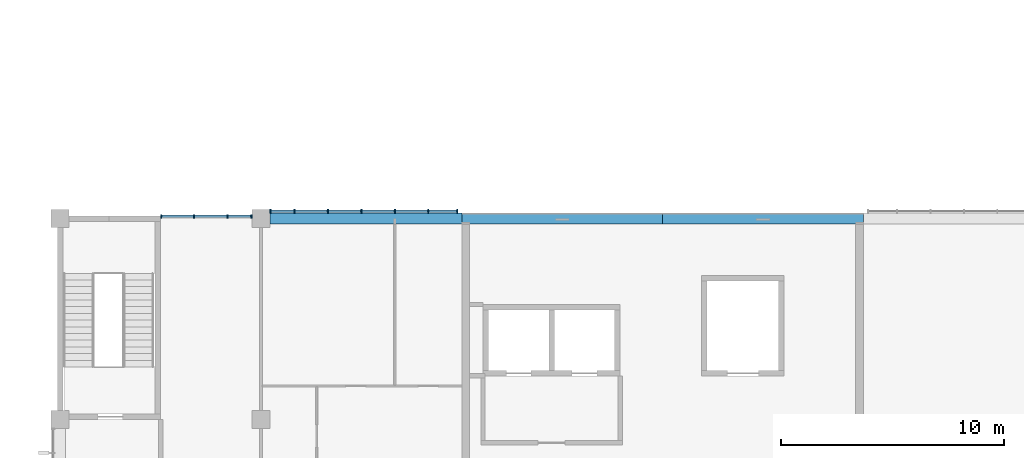
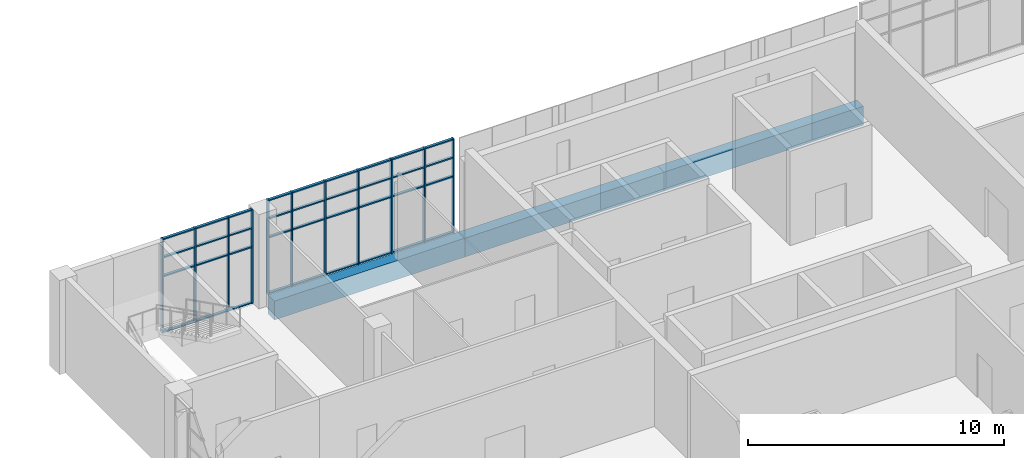
# One storey, part 21 of 43: 47 members, 3 beams, 2 elements without a shape of their own.
"""IFC4 building model written with IfcOpenShell, lengths in metres."""

from ifc_helpers import new_model, si_unit, direction, frame, origin, origin_2d, place, context, subcontext, project, spatial, rectangle, extrude, material, layer, layer_set, material_profile, profile_set, type_object, element, aggregate, save


model = new_model("IFC4")

# Units and contexts
model_context = context("Model", 3, precision=1e-05, world=origin(), true_north=direction((0.0, 1.0)))
body_context = subcontext(model_context, "Body", "Model", "MODEL_VIEW")
ifc_project = project(units=[si_unit("LENGTHUNIT", "METRE"), si_unit("AREAUNIT", "SQUARE_METRE"), si_unit("VOLUMEUNIT", "CUBIC_METRE"), si_unit("PLANEANGLEUNIT", "RADIAN"), si_unit("MASSUNIT", "GRAM", prefix="KILO")], contexts=[model_context])

# Site, building, storey
site_placement = place(None, origin())
site = spatial("IfcSite", under=ifc_project, at=site_placement, CompositionType="ELEMENT")
building_placement = place(site_placement, origin())
building = spatial("IfcBuilding", under=site, at=building_placement, Name="Guidao Yard Department Store", CompositionType="ELEMENT")
storey_placement = place(building_placement, frame((0.0, 0.0, 28.5)))
storey = spatial("IfcBuildingStorey", under=building, at=storey_placement, Name="L06", CompositionType="ELEMENT", Elevation=28.5)

# Curtain wall, members
ifc_material_1 = material(Name="Aluminium and glass", Category="aluminium")
ifc_layer = layer(ifc_material_1, 0.159912109375)
ifc_layer_set = layer_set([ifc_layer], Name="Unitised curtain wall CW4 1500 module")
curtain_wall_type = type_object("IfcCurtainWallType", Name="Unitised curtain wall CW4 1500 module", PredefinedType="NOTDEFINED", material=ifc_layer_set)
curtain_wall_1_placement = place(storey_placement, origin())
curtain_wall_1 = element("IfcCurtainWall", 1, at=curtain_wall_1_placement, inside=storey, type_object=curtain_wall_type, Name="Unitised curtain wall", PredefinedType="NOTDEFINED")
ifc_material_2 = material(Name="Aluminium 6063-T5", Category="aluminium")
ifc_material_profile_1 = material_profile(ifc_material_2, rectangle(XDim=0.06005859375, YDim=0.159912109375, at=origin_2d()), Name="Mullion M1 60 x 160 aluminium pressure plate")
ifc_profile_set_1 = profile_set([ifc_material_profile_1], Name="Aluminium 6063-T5")
member_type_1 = type_object("IfcMemberType", Name="Mullion M1 60 x 160 aluminium pressure plate", PredefinedType="MULLION", material=ifc_profile_set_1)
member_1_placement = place(storey_placement, frame((130.530029296875, 27.10009765625, 0.0), z_axis=(0.0, 0.0, 1.0), x_axis=(1.0, 0.0, 0.0)))
member_1 = element("IfcMember", 2, at=member_1_placement, type_object=member_type_1, Name="CW-OW-L06-06 mullion 1", PredefinedType="MULLION", context=body_context, shape_type="SweptSolid", body=[
    extrude(rectangle(XDim=0.06005859375, YDim=0.159912109375, at=origin_2d()), origin(), (0.0, 0.0, 1.0), 4.5),
])
member_2_placement = place(storey_placement, frame((132.0, 27.10009765625, 0.0), z_axis=(0.0, 0.0, 1.0), x_axis=(1.0, 0.0, 0.0)))
member_2 = element("IfcMember", 3, at=member_2_placement, type_object=member_type_1, Name="CW-OW-L06-06 mullion 2", PredefinedType="MULLION", context=body_context, shape_type="SweptSolid", body=[
    extrude(rectangle(XDim=0.06005859375, YDim=0.159912109375, at=origin_2d()), origin(), (0.0, 0.0, 1.0), 4.5),
])
member_3_placement = place(storey_placement, frame((133.5, 27.10009765625, 0.0), z_axis=(0.0, 0.0, 1.0), x_axis=(1.0, 0.0, 0.0)))
member_3 = element("IfcMember", 4, at=member_3_placement, type_object=member_type_1, Name="CW-OW-L06-06 mullion 3", PredefinedType="MULLION", context=body_context, shape_type="SweptSolid", body=[
    extrude(rectangle(XDim=0.06005859375, YDim=0.159912109375, at=origin_2d()), origin(), (0.0, 0.0, 1.0), 4.5),
])
member_4_placement = place(storey_placement, frame((134.570068359375, 27.10009765625, 0.0), z_axis=(0.0, 0.0, 1.0), x_axis=(1.0, 0.0, 0.0)))
member_4 = element("IfcMember", 5, at=member_4_placement, type_object=member_type_1, Name="CW-OW-L06-06 mullion 4", PredefinedType="MULLION", context=body_context, shape_type="SweptSolid", body=[
    extrude(rectangle(XDim=0.06005859375, YDim=0.159912109375, at=origin_2d()), origin(), (0.0, 0.0, 1.0), 4.5),
])

curtain_wall_2_placement = place(storey_placement, origin())
curtain_wall_2 = element("IfcCurtainWall", 6, at=curtain_wall_2_placement, inside=storey, type_object=curtain_wall_type, Name="Unitised curtain wall", PredefinedType="NOTDEFINED")
member_5_placement = place(storey_placement, frame((135.429931640625, 27.330078125, 0.0), z_axis=(0.0, 0.0, 1.0), x_axis=(1.0, 0.0, 0.0)))
member_5 = element("IfcMember", 7, at=member_5_placement, type_object=member_type_1, Name="CW-OW-L06-07 mullion 1", PredefinedType="MULLION", context=body_context, shape_type="SweptSolid", body=[
    extrude(rectangle(XDim=0.06005859375, YDim=0.159912109375, at=origin_2d()), origin(), (0.0, 0.0, 1.0), 4.5),
])
member_6_placement = place(storey_placement, frame((136.5, 27.330078125, 0.0), z_axis=(0.0, 0.0, 1.0), x_axis=(1.0, 0.0, 0.0)))
member_6 = element("IfcMember", 8, at=member_6_placement, type_object=member_type_1, Name="CW-OW-L06-07 mullion 2", PredefinedType="MULLION", context=body_context, shape_type="SweptSolid", body=[
    extrude(rectangle(XDim=0.06005859375, YDim=0.159912109375, at=origin_2d()), origin(), (0.0, 0.0, 1.0), 4.5),
])
member_7_placement = place(storey_placement, frame((138.0, 27.330078125, 0.0), z_axis=(0.0, 0.0, 1.0), x_axis=(1.0, 0.0, 0.0)))
member_7 = element("IfcMember", 9, at=member_7_placement, type_object=member_type_1, Name="CW-OW-L06-07 mullion 3", PredefinedType="MULLION", context=body_context, shape_type="SweptSolid", body=[
    extrude(rectangle(XDim=0.06005859375, YDim=0.159912109375, at=origin_2d()), origin(), (0.0, 0.0, 1.0), 4.5),
])
member_8_placement = place(storey_placement, frame((139.5, 27.330078125, 0.0), z_axis=(0.0, 0.0, 1.0), x_axis=(1.0, 0.0, 0.0)))
member_8 = element("IfcMember", 10, at=member_8_placement, type_object=member_type_1, Name="CW-OW-L06-07 mullion 4", PredefinedType="MULLION", context=body_context, shape_type="SweptSolid", body=[
    extrude(rectangle(XDim=0.06005859375, YDim=0.159912109375, at=origin_2d()), origin(), (0.0, 0.0, 1.0), 4.5),
])
member_9_placement = place(storey_placement, frame((141.0, 27.330078125, 0.0), z_axis=(0.0, 0.0, 1.0), x_axis=(1.0, 0.0, 0.0)))
member_9 = element("IfcMember", 11, at=member_9_placement, type_object=member_type_1, Name="CW-OW-L06-07 mullion 5", PredefinedType="MULLION", context=body_context, shape_type="SweptSolid", body=[
    extrude(rectangle(XDim=0.06005859375, YDim=0.159912109375, at=origin_2d()), origin(), (0.0, 0.0, 1.0), 4.5),
])
member_10_placement = place(storey_placement, frame((142.5, 27.330078125, 0.0), z_axis=(0.0, 0.0, 1.0), x_axis=(1.0, 0.0, 0.0)))
member_10 = element("IfcMember", 12, at=member_10_placement, type_object=member_type_1, Name="CW-OW-L06-07 mullion 6", PredefinedType="MULLION", context=body_context, shape_type="SweptSolid", body=[
    extrude(rectangle(XDim=0.06005859375, YDim=0.159912109375, at=origin_2d()), origin(), (0.0, 0.0, 1.0), 4.5),
])
member_11_placement = place(storey_placement, frame((143.794921875, 27.330078125, 0.0), z_axis=(0.0, 0.0, 1.0), x_axis=(1.0, 0.0, 0.0)))
member_11 = element("IfcMember", 13, at=member_11_placement, type_object=member_type_1, Name="CW-OW-L06-07 mullion 7", PredefinedType="MULLION", context=body_context, shape_type="SweptSolid", body=[
    extrude(rectangle(XDim=0.06005859375, YDim=0.159912109375, at=origin_2d()), origin(), (0.0, 0.0, 1.0), 4.5),
])

# Beams
ifc_material_3 = material(Name="Concrete C40", Category="concrete")
ifc_material_profile_2 = material_profile(ifc_material_3, rectangle(XDim=0.5, YDim=0.89990234375, at=origin_2d()), Name="Spandrel beam 500 x 900 C40")
ifc_profile_set_2 = profile_set([ifc_material_profile_2], Name="Concrete C40")
beam_type = type_object("IfcBeamType", Name="Spandrel beam 500 x 900 C40", PredefinedType="SPANDREL", material=ifc_profile_set_2)
beam_placement = place(storey_placement, frame((135.39990234375, 27.0, -0.449951171875), z_axis=(1.0, 0.0, 0.0), x_axis=(0.0, 1.0, 0.0)))
element("IfcBeam", 14, at=beam_placement, inside=storey, type_object=beam_type, Name="Beam FB05", PredefinedType="SPANDREL", context=body_context, shape_type="SweptSolid", body=[
    extrude(rectangle(XDim=0.5, YDim=0.89990234375, at=origin_2d()), origin(), (0.0, 0.0, 1.0), 8.60009765625),
])
for number, where, z_axis, x_axis, name in (
    (15, (144.0, 27.0, -0.449951171875), (1.0, 0.0, 0.0), (0.0, 1.0, 0.0), "Beam FB06"),
    (16, (153.0, 27.0, -0.449951171875), (1.0, 0.0, 0.0), (0.0, 1.0, 0.0), "Beam FB07"),
):
    element("IfcBeam", number, at=place(storey_placement, frame(where, z_axis=z_axis, x_axis=x_axis)), inside=storey, type_object=beam_type, Name=name, PredefinedType="SPANDREL", context=body_context, shape_type="SweptSolid", body=[
        extrude(rectangle(XDim=0.5, YDim=0.89990234375, at=origin_2d()), origin(), (0.0, 0.0, 1.0), 9.0),
    ])

# Member
ifc_material_4 = material(Name="Aluminium 6063-T5", Category="aluminium")
ifc_material_profile_3 = material_profile(ifc_material_4, rectangle(XDim=0.1201171875, YDim=0.06005859375, at=origin_2d()), Name="Transom T1 60 x 120 aluminium pressure plate")
ifc_profile_set_3 = profile_set([ifc_material_profile_3], Name="Aluminium 6063-T5")
member_type_2 = type_object("IfcMemberType", Name="Transom T1 60 x 120 aluminium pressure plate", PredefinedType="USERDEFINED", material=ifc_profile_set_3)
member_12_placement = place(storey_placement, frame((130.56005859375, 27.10009765625, 0.030029296875), z_axis=(1.0, 0.0, 0.0), x_axis=(0.0, 1.0, 0.0)))
member_12 = element("IfcMember", 17, at=member_12_placement, type_object=member_type_2, Name="CW-OW-L06-06 transom 1.1", ObjectType="TRANSOM", PredefinedType="USERDEFINED", context=body_context, shape_type="SweptSolid", body=[
    extrude(rectangle(XDim=0.1201171875, YDim=0.06005859375, at=origin_2d()), origin(), (0.0, 0.0, 1.0), 1.409912109375),
])

member_13_placement = place(storey_placement, frame((130.56005859375, 27.10009765625, 2.699951171875), z_axis=(1.0, 0.0, 0.0), x_axis=(0.0, 1.0, 0.0)))
member_13 = element("IfcMember", 18, at=member_13_placement, type_object=member_type_2, Name="CW-OW-L06-06 transom 1.2", ObjectType="TRANSOM", PredefinedType="USERDEFINED", context=body_context, shape_type="SweptSolid", body=[
    extrude(rectangle(XDim=0.1201171875, YDim=0.06005859375, at=origin_2d()), origin(), (0.0, 0.0, 1.0), 1.409912109375),
])

member_14_placement = place(storey_placement, frame((130.56005859375, 27.10009765625, 3.60009765625), z_axis=(1.0, 0.0, 0.0), x_axis=(0.0, 1.0, 0.0)))
member_14 = element("IfcMember", 19, at=member_14_placement, type_object=member_type_2, Name="CW-OW-L06-06 transom 1.3", ObjectType="TRANSOM", PredefinedType="USERDEFINED", context=body_context, shape_type="SweptSolid", body=[
    extrude(rectangle(XDim=0.1201171875, YDim=0.06005859375, at=origin_2d()), origin(), (0.0, 0.0, 1.0), 1.409912109375),
])

member_15_placement = place(storey_placement, frame((130.56005859375, 27.10009765625, 4.469970703125), z_axis=(1.0, 0.0, 0.0), x_axis=(0.0, 1.0, 0.0)))
member_15 = element("IfcMember", 20, at=member_15_placement, type_object=member_type_2, Name="CW-OW-L06-06 transom 1.4", ObjectType="TRANSOM", PredefinedType="USERDEFINED", context=body_context, shape_type="SweptSolid", body=[
    extrude(rectangle(XDim=0.1201171875, YDim=0.06005859375, at=origin_2d()), origin(), (0.0, 0.0, 1.0), 1.409912109375),
])

member_16_placement = place(storey_placement, frame((132.030029296875, 27.10009765625, 0.030029296875), z_axis=(1.0, 0.0, 0.0), x_axis=(0.0, 1.0, 0.0)))
member_16 = element("IfcMember", 21, at=member_16_placement, type_object=member_type_2, Name="CW-OW-L06-06 transom 2.1", ObjectType="TRANSOM", PredefinedType="USERDEFINED", context=body_context, shape_type="SweptSolid", body=[
    extrude(rectangle(XDim=0.1201171875, YDim=0.06005859375, at=origin_2d()), origin(), (0.0, 0.0, 1.0), 1.43994140625),
])

member_17_placement = place(storey_placement, frame((132.030029296875, 27.10009765625, 2.699951171875), z_axis=(1.0, 0.0, 0.0), x_axis=(0.0, 1.0, 0.0)))
member_17 = element("IfcMember", 22, at=member_17_placement, type_object=member_type_2, Name="CW-OW-L06-06 transom 2.2", ObjectType="TRANSOM", PredefinedType="USERDEFINED", context=body_context, shape_type="SweptSolid", body=[
    extrude(rectangle(XDim=0.1201171875, YDim=0.06005859375, at=origin_2d()), origin(), (0.0, 0.0, 1.0), 1.43994140625),
])

member_18_placement = place(storey_placement, frame((132.030029296875, 27.10009765625, 3.60009765625), z_axis=(1.0, 0.0, 0.0), x_axis=(0.0, 1.0, 0.0)))
member_18 = element("IfcMember", 23, at=member_18_placement, type_object=member_type_2, Name="CW-OW-L06-06 transom 2.3", ObjectType="TRANSOM", PredefinedType="USERDEFINED", context=body_context, shape_type="SweptSolid", body=[
    extrude(rectangle(XDim=0.1201171875, YDim=0.06005859375, at=origin_2d()), origin(), (0.0, 0.0, 1.0), 1.43994140625),
])

member_19_placement = place(storey_placement, frame((132.030029296875, 27.10009765625, 4.469970703125), z_axis=(1.0, 0.0, 0.0), x_axis=(0.0, 1.0, 0.0)))
member_19 = element("IfcMember", 24, at=member_19_placement, type_object=member_type_2, Name="CW-OW-L06-06 transom 2.4", ObjectType="TRANSOM", PredefinedType="USERDEFINED", context=body_context, shape_type="SweptSolid", body=[
    extrude(rectangle(XDim=0.1201171875, YDim=0.06005859375, at=origin_2d()), origin(), (0.0, 0.0, 1.0), 1.43994140625),
])

member_20_placement = place(storey_placement, frame((133.530029296875, 27.10009765625, 0.030029296875), z_axis=(1.0, 0.0, 0.0), x_axis=(0.0, 1.0, 0.0)))
member_20 = element("IfcMember", 25, at=member_20_placement, type_object=member_type_2, Name="CW-OW-L06-06 transom 3.1", ObjectType="TRANSOM", PredefinedType="USERDEFINED", context=body_context, shape_type="SweptSolid", body=[
    extrude(rectangle(XDim=0.1201171875, YDim=0.06005859375, at=origin_2d()), origin(), (0.0, 0.0, 1.0), 1.010009765625),
])

member_21_placement = place(storey_placement, frame((133.530029296875, 27.10009765625, 2.699951171875), z_axis=(1.0, 0.0, 0.0), x_axis=(0.0, 1.0, 0.0)))
member_21 = element("IfcMember", 26, at=member_21_placement, type_object=member_type_2, Name="CW-OW-L06-06 transom 3.2", ObjectType="TRANSOM", PredefinedType="USERDEFINED", context=body_context, shape_type="SweptSolid", body=[
    extrude(rectangle(XDim=0.1201171875, YDim=0.06005859375, at=origin_2d()), origin(), (0.0, 0.0, 1.0), 1.010009765625),
])

member_22_placement = place(storey_placement, frame((133.530029296875, 27.10009765625, 3.60009765625), z_axis=(1.0, 0.0, 0.0), x_axis=(0.0, 1.0, 0.0)))
member_22 = element("IfcMember", 27, at=member_22_placement, type_object=member_type_2, Name="CW-OW-L06-06 transom 3.3", ObjectType="TRANSOM", PredefinedType="USERDEFINED", context=body_context, shape_type="SweptSolid", body=[
    extrude(rectangle(XDim=0.1201171875, YDim=0.06005859375, at=origin_2d()), origin(), (0.0, 0.0, 1.0), 1.010009765625),
])

member_23_placement = place(storey_placement, frame((133.530029296875, 27.10009765625, 4.469970703125), z_axis=(1.0, 0.0, 0.0), x_axis=(0.0, 1.0, 0.0)))
member_23 = element("IfcMember", 28, at=member_23_placement, type_object=member_type_2, Name="CW-OW-L06-06 transom 3.4", ObjectType="TRANSOM", PredefinedType="USERDEFINED", context=body_context, shape_type="SweptSolid", body=[
    extrude(rectangle(XDim=0.1201171875, YDim=0.06005859375, at=origin_2d()), origin(), (0.0, 0.0, 1.0), 1.010009765625),
])

aggregate(curtain_wall_1, [member_1, member_2, member_3, member_4, member_12, member_13, member_14, member_15, member_16, member_17, member_18, member_19, member_20, member_21, member_22, member_23])

member_24_placement = place(storey_placement, frame((135.4599609375, 27.330078125, 0.030029296875), z_axis=(1.0, 0.0, 0.0), x_axis=(0.0, 1.0, 0.0)))
member_24 = element("IfcMember", 29, at=member_24_placement, type_object=member_type_2, Name="CW-OW-L06-07 transom 1.1", ObjectType="TRANSOM", PredefinedType="USERDEFINED", context=body_context, shape_type="SweptSolid", body=[
    extrude(rectangle(XDim=0.1201171875, YDim=0.06005859375, at=origin_2d()), origin(), (0.0, 0.0, 1.0), 1.010009765625),
])

member_25_placement = place(storey_placement, frame((135.4599609375, 27.330078125, 2.699951171875), z_axis=(1.0, 0.0, 0.0), x_axis=(0.0, 1.0, 0.0)))
member_25 = element("IfcMember", 30, at=member_25_placement, type_object=member_type_2, Name="CW-OW-L06-07 transom 1.2", ObjectType="TRANSOM", PredefinedType="USERDEFINED", context=body_context, shape_type="SweptSolid", body=[
    extrude(rectangle(XDim=0.1201171875, YDim=0.06005859375, at=origin_2d()), origin(), (0.0, 0.0, 1.0), 1.010009765625),
])

member_26_placement = place(storey_placement, frame((135.4599609375, 27.330078125, 3.60009765625), z_axis=(1.0, 0.0, 0.0), x_axis=(0.0, 1.0, 0.0)))
member_26 = element("IfcMember", 31, at=member_26_placement, type_object=member_type_2, Name="CW-OW-L06-07 transom 1.3", ObjectType="TRANSOM", PredefinedType="USERDEFINED", context=body_context, shape_type="SweptSolid", body=[
    extrude(rectangle(XDim=0.1201171875, YDim=0.06005859375, at=origin_2d()), origin(), (0.0, 0.0, 1.0), 1.010009765625),
])

member_27_placement = place(storey_placement, frame((135.4599609375, 27.330078125, 4.469970703125), z_axis=(1.0, 0.0, 0.0), x_axis=(0.0, 1.0, 0.0)))
member_27 = element("IfcMember", 32, at=member_27_placement, type_object=member_type_2, Name="CW-OW-L06-07 transom 1.4", ObjectType="TRANSOM", PredefinedType="USERDEFINED", context=body_context, shape_type="SweptSolid", body=[
    extrude(rectangle(XDim=0.1201171875, YDim=0.06005859375, at=origin_2d()), origin(), (0.0, 0.0, 1.0), 1.010009765625),
])

member_28_placement = place(storey_placement, frame((136.530029296875, 27.330078125, 0.030029296875), z_axis=(1.0, 0.0, 0.0), x_axis=(0.0, 1.0, 0.0)))
member_28 = element("IfcMember", 33, at=member_28_placement, type_object=member_type_2, Name="CW-OW-L06-07 transom 2.1", ObjectType="TRANSOM", PredefinedType="USERDEFINED", context=body_context, shape_type="SweptSolid", body=[
    extrude(rectangle(XDim=0.1201171875, YDim=0.06005859375, at=origin_2d()), origin(), (0.0, 0.0, 1.0), 1.43994140625),
])

member_29_placement = place(storey_placement, frame((136.530029296875, 27.330078125, 2.699951171875), z_axis=(1.0, 0.0, 0.0), x_axis=(0.0, 1.0, 0.0)))
member_29 = element("IfcMember", 34, at=member_29_placement, type_object=member_type_2, Name="CW-OW-L06-07 transom 2.2", ObjectType="TRANSOM", PredefinedType="USERDEFINED", context=body_context, shape_type="SweptSolid", body=[
    extrude(rectangle(XDim=0.1201171875, YDim=0.06005859375, at=origin_2d()), origin(), (0.0, 0.0, 1.0), 1.43994140625),
])

member_30_placement = place(storey_placement, frame((136.530029296875, 27.330078125, 3.60009765625), z_axis=(1.0, 0.0, 0.0), x_axis=(0.0, 1.0, 0.0)))
member_30 = element("IfcMember", 35, at=member_30_placement, type_object=member_type_2, Name="CW-OW-L06-07 transom 2.3", ObjectType="TRANSOM", PredefinedType="USERDEFINED", context=body_context, shape_type="SweptSolid", body=[
    extrude(rectangle(XDim=0.1201171875, YDim=0.06005859375, at=origin_2d()), origin(), (0.0, 0.0, 1.0), 1.43994140625),
])

member_31_placement = place(storey_placement, frame((136.530029296875, 27.330078125, 4.469970703125), z_axis=(1.0, 0.0, 0.0), x_axis=(0.0, 1.0, 0.0)))
member_31 = element("IfcMember", 36, at=member_31_placement, type_object=member_type_2, Name="CW-OW-L06-07 transom 2.4", ObjectType="TRANSOM", PredefinedType="USERDEFINED", context=body_context, shape_type="SweptSolid", body=[
    extrude(rectangle(XDim=0.1201171875, YDim=0.06005859375, at=origin_2d()), origin(), (0.0, 0.0, 1.0), 1.43994140625),
])

member_32_placement = place(storey_placement, frame((138.030029296875, 27.330078125, 0.030029296875), z_axis=(1.0, 0.0, 0.0), x_axis=(0.0, 1.0, 0.0)))
member_32 = element("IfcMember", 37, at=member_32_placement, type_object=member_type_2, Name="CW-OW-L06-07 transom 3.1", ObjectType="TRANSOM", PredefinedType="USERDEFINED", context=body_context, shape_type="SweptSolid", body=[
    extrude(rectangle(XDim=0.1201171875, YDim=0.06005859375, at=origin_2d()), origin(), (0.0, 0.0, 1.0), 1.43994140625),
])

member_33_placement = place(storey_placement, frame((138.030029296875, 27.330078125, 2.699951171875), z_axis=(1.0, 0.0, 0.0), x_axis=(0.0, 1.0, 0.0)))
member_33 = element("IfcMember", 38, at=member_33_placement, type_object=member_type_2, Name="CW-OW-L06-07 transom 3.2", ObjectType="TRANSOM", PredefinedType="USERDEFINED", context=body_context, shape_type="SweptSolid", body=[
    extrude(rectangle(XDim=0.1201171875, YDim=0.06005859375, at=origin_2d()), origin(), (0.0, 0.0, 1.0), 1.43994140625),
])

member_34_placement = place(storey_placement, frame((138.030029296875, 27.330078125, 3.60009765625), z_axis=(1.0, 0.0, 0.0), x_axis=(0.0, 1.0, 0.0)))
member_34 = element("IfcMember", 39, at=member_34_placement, type_object=member_type_2, Name="CW-OW-L06-07 transom 3.3", ObjectType="TRANSOM", PredefinedType="USERDEFINED", context=body_context, shape_type="SweptSolid", body=[
    extrude(rectangle(XDim=0.1201171875, YDim=0.06005859375, at=origin_2d()), origin(), (0.0, 0.0, 1.0), 1.43994140625),
])

member_35_placement = place(storey_placement, frame((138.030029296875, 27.330078125, 4.469970703125), z_axis=(1.0, 0.0, 0.0), x_axis=(0.0, 1.0, 0.0)))
member_35 = element("IfcMember", 40, at=member_35_placement, type_object=member_type_2, Name="CW-OW-L06-07 transom 3.4", ObjectType="TRANSOM", PredefinedType="USERDEFINED", context=body_context, shape_type="SweptSolid", body=[
    extrude(rectangle(XDim=0.1201171875, YDim=0.06005859375, at=origin_2d()), origin(), (0.0, 0.0, 1.0), 1.43994140625),
])

member_36_placement = place(storey_placement, frame((139.530029296875, 27.330078125, 0.030029296875), z_axis=(1.0, 0.0, 0.0), x_axis=(0.0, 1.0, 0.0)))
member_36 = element("IfcMember", 41, at=member_36_placement, type_object=member_type_2, Name="CW-OW-L06-07 transom 4.1", ObjectType="TRANSOM", PredefinedType="USERDEFINED", context=body_context, shape_type="SweptSolid", body=[
    extrude(rectangle(XDim=0.1201171875, YDim=0.06005859375, at=origin_2d()), origin(), (0.0, 0.0, 1.0), 1.43994140625),
])

member_37_placement = place(storey_placement, frame((139.530029296875, 27.330078125, 2.699951171875), z_axis=(1.0, 0.0, 0.0), x_axis=(0.0, 1.0, 0.0)))
member_37 = element("IfcMember", 42, at=member_37_placement, type_object=member_type_2, Name="CW-OW-L06-07 transom 4.2", ObjectType="TRANSOM", PredefinedType="USERDEFINED", context=body_context, shape_type="SweptSolid", body=[
    extrude(rectangle(XDim=0.1201171875, YDim=0.06005859375, at=origin_2d()), origin(), (0.0, 0.0, 1.0), 1.43994140625),
])

member_38_placement = place(storey_placement, frame((139.530029296875, 27.330078125, 3.60009765625), z_axis=(1.0, 0.0, 0.0), x_axis=(0.0, 1.0, 0.0)))
member_38 = element("IfcMember", 43, at=member_38_placement, type_object=member_type_2, Name="CW-OW-L06-07 transom 4.3", ObjectType="TRANSOM", PredefinedType="USERDEFINED", context=body_context, shape_type="SweptSolid", body=[
    extrude(rectangle(XDim=0.1201171875, YDim=0.06005859375, at=origin_2d()), origin(), (0.0, 0.0, 1.0), 1.43994140625),
])

member_39_placement = place(storey_placement, frame((139.530029296875, 27.330078125, 4.469970703125), z_axis=(1.0, 0.0, 0.0), x_axis=(0.0, 1.0, 0.0)))
member_39 = element("IfcMember", 44, at=member_39_placement, type_object=member_type_2, Name="CW-OW-L06-07 transom 4.4", ObjectType="TRANSOM", PredefinedType="USERDEFINED", context=body_context, shape_type="SweptSolid", body=[
    extrude(rectangle(XDim=0.1201171875, YDim=0.06005859375, at=origin_2d()), origin(), (0.0, 0.0, 1.0), 1.43994140625),
])

member_40_placement = place(storey_placement, frame((141.030029296875, 27.330078125, 0.030029296875), z_axis=(1.0, 0.0, 0.0), x_axis=(0.0, 1.0, 0.0)))
member_40 = element("IfcMember", 45, at=member_40_placement, type_object=member_type_2, Name="CW-OW-L06-07 transom 5.1", ObjectType="TRANSOM", PredefinedType="USERDEFINED", context=body_context, shape_type="SweptSolid", body=[
    extrude(rectangle(XDim=0.1201171875, YDim=0.06005859375, at=origin_2d()), origin(), (0.0, 0.0, 1.0), 1.43994140625),
])

member_41_placement = place(storey_placement, frame((141.030029296875, 27.330078125, 2.699951171875), z_axis=(1.0, 0.0, 0.0), x_axis=(0.0, 1.0, 0.0)))
member_41 = element("IfcMember", 46, at=member_41_placement, type_object=member_type_2, Name="CW-OW-L06-07 transom 5.2", ObjectType="TRANSOM", PredefinedType="USERDEFINED", context=body_context, shape_type="SweptSolid", body=[
    extrude(rectangle(XDim=0.1201171875, YDim=0.06005859375, at=origin_2d()), origin(), (0.0, 0.0, 1.0), 1.43994140625),
])

member_42_placement = place(storey_placement, frame((141.030029296875, 27.330078125, 3.60009765625), z_axis=(1.0, 0.0, 0.0), x_axis=(0.0, 1.0, 0.0)))
member_42 = element("IfcMember", 47, at=member_42_placement, type_object=member_type_2, Name="CW-OW-L06-07 transom 5.3", ObjectType="TRANSOM", PredefinedType="USERDEFINED", context=body_context, shape_type="SweptSolid", body=[
    extrude(rectangle(XDim=0.1201171875, YDim=0.06005859375, at=origin_2d()), origin(), (0.0, 0.0, 1.0), 1.43994140625),
])

member_43_placement = place(storey_placement, frame((141.030029296875, 27.330078125, 4.469970703125), z_axis=(1.0, 0.0, 0.0), x_axis=(0.0, 1.0, 0.0)))
member_43 = element("IfcMember", 48, at=member_43_placement, type_object=member_type_2, Name="CW-OW-L06-07 transom 5.4", ObjectType="TRANSOM", PredefinedType="USERDEFINED", context=body_context, shape_type="SweptSolid", body=[
    extrude(rectangle(XDim=0.1201171875, YDim=0.06005859375, at=origin_2d()), origin(), (0.0, 0.0, 1.0), 1.43994140625),
])

member_44_placement = place(storey_placement, frame((142.530029296875, 27.330078125, 0.030029296875), z_axis=(1.0, 0.0, 0.0), x_axis=(0.0, 1.0, 0.0)))
member_44 = element("IfcMember", 49, at=member_44_placement, type_object=member_type_2, Name="CW-OW-L06-07 transom 6.1", ObjectType="TRANSOM", PredefinedType="USERDEFINED", context=body_context, shape_type="SweptSolid", body=[
    extrude(rectangle(XDim=0.1201171875, YDim=0.06005859375, at=origin_2d()), origin(), (0.0, 0.0, 1.0), 1.23486328125),
])

member_45_placement = place(storey_placement, frame((142.530029296875, 27.330078125, 2.699951171875), z_axis=(1.0, 0.0, 0.0), x_axis=(0.0, 1.0, 0.0)))
member_45 = element("IfcMember", 50, at=member_45_placement, type_object=member_type_2, Name="CW-OW-L06-07 transom 6.2", ObjectType="TRANSOM", PredefinedType="USERDEFINED", context=body_context, shape_type="SweptSolid", body=[
    extrude(rectangle(XDim=0.1201171875, YDim=0.06005859375, at=origin_2d()), origin(), (0.0, 0.0, 1.0), 1.23486328125),
])

member_46_placement = place(storey_placement, frame((142.530029296875, 27.330078125, 3.60009765625), z_axis=(1.0, 0.0, 0.0), x_axis=(0.0, 1.0, 0.0)))
member_46 = element("IfcMember", 51, at=member_46_placement, type_object=member_type_2, Name="CW-OW-L06-07 transom 6.3", ObjectType="TRANSOM", PredefinedType="USERDEFINED", context=body_context, shape_type="SweptSolid", body=[
    extrude(rectangle(XDim=0.1201171875, YDim=0.06005859375, at=origin_2d()), origin(), (0.0, 0.0, 1.0), 1.23486328125),
])

member_47_placement = place(storey_placement, frame((142.530029296875, 27.330078125, 4.469970703125), z_axis=(1.0, 0.0, 0.0), x_axis=(0.0, 1.0, 0.0)))
member_47 = element("IfcMember", 52, at=member_47_placement, type_object=member_type_2, Name="CW-OW-L06-07 transom 6.4", ObjectType="TRANSOM", PredefinedType="USERDEFINED", context=body_context, shape_type="SweptSolid", body=[
    extrude(rectangle(XDim=0.1201171875, YDim=0.06005859375, at=origin_2d()), origin(), (0.0, 0.0, 1.0), 1.23486328125),
])

aggregate(curtain_wall_2, [member_5, member_6, member_7, member_8, member_9, member_10, member_11, member_24, member_25, member_26, member_27, member_28, member_29, member_30, member_31, member_32, member_33, member_34, member_35, member_36, member_37, member_38, member_39, member_40, member_41, member_42, member_43, member_44, member_45, member_46, member_47])

save(model, "model.ifc")
